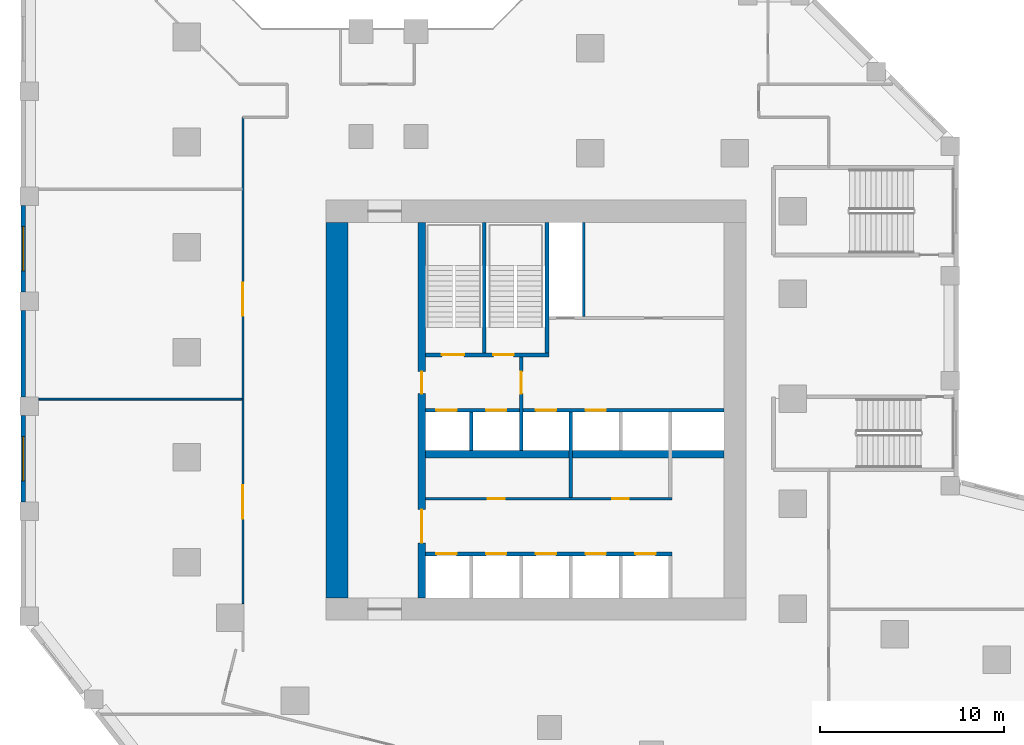
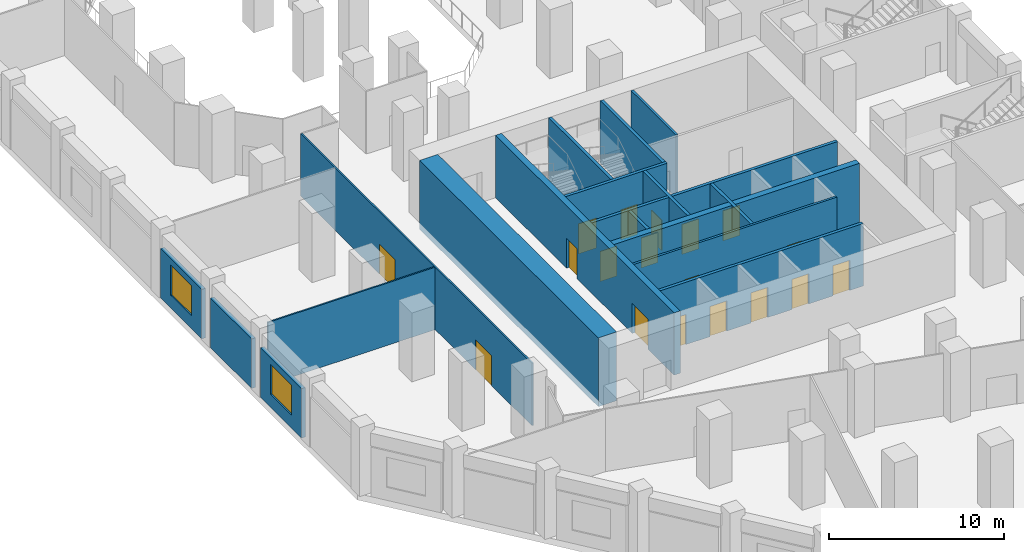
# One storey, part 4 of 16: 18 doors, 18 walls, 2 windows, 20 openings.
"""IFC4 building model written with IfcOpenShell, lengths in metres."""

from ifc_helpers import new_model, si_unit, direction, frame, frame_2d, origin, place, context, subcontext, project, spatial, rectangle, extrude, material, layer, layer_set, type_object, element, fill, save


model = new_model("IFC4")

# Units and contexts
model_context = context("Model", 3, precision=1e-05, world=origin(), true_north=direction((0.0, 1.0)))
body_context = subcontext(model_context, "Body", "Model", "MODEL_VIEW")
ifc_project = project(units=[si_unit("LENGTHUNIT", "METRE"), si_unit("AREAUNIT", "SQUARE_METRE"), si_unit("VOLUMEUNIT", "CUBIC_METRE"), si_unit("PLANEANGLEUNIT", "RADIAN"), si_unit("MASSUNIT", "GRAM", prefix="KILO")], contexts=[model_context])

# Site, building, storey
site_placement = place(None, origin())
site = spatial("IfcSite", under=ifc_project, at=site_placement, CompositionType="ELEMENT")
building_placement = place(site_placement, origin())
building = spatial("IfcBuilding", under=site, at=building_placement, Name="Meshkara Civic Tower", CompositionType="ELEMENT")
storey_placement = place(building_placement, frame((0.0, 0.0, 18.60009765625)))
storey = spatial("IfcBuildingStorey", under=building, at=storey_placement, Name="L03", CompositionType="ELEMENT", Elevation=18.60009765625)

# Wall, openings, doors
ifc_material_1 = material(Name="Blockwork", Category="masonry")
ifc_layer_1 = layer(ifc_material_1, 0.14990234375)
ifc_layer_set_1 = layer_set([ifc_layer_1], Name="Core partition 150")
wall_type_1 = type_object("IfcWallType", Name="Core partition 150", PredefinedType="PARTITIONING", material=ifc_layer_set_1)
wall_1_placement = place(storey_placement, frame((13.39990234375, 20.699951171875, 0.0), z_axis=(0.0, 0.0, 1.0), x_axis=(1.0, 0.0, 0.0)))
wall_1 = element("IfcWall", 1, at=wall_1_placement, inside=storey, type_object=wall_type_1, Name="L03-C006", PredefinedType="PARTITIONING", context=body_context, shape_type="SweptSolid", body=[
    extrude(rectangle(XDim=13.400146484375, YDim=0.14990234375, at=frame_2d((6.7001953125, 0.0))), origin(), (0.0, 0.0, 1.0), 4.349853515625),
])
opening_1_placement = place(wall_1_placement, frame((3.39990234375, 0.0, 0.0)))
opening_1 = element("IfcOpeningElement", 2, at=opening_1_placement, cuts=wall_1, Name="Opening L03-K010", PredefinedType="OPENING", context=body_context, shape_type="SweptSolid", body=[
    extrude(rectangle(XDim=0.89990234375, YDim=2.10009765625, at=frame_2d((0.449951171875, 1.050048828125))), frame((0.0, 0.0849609375, 0.0), z_axis=(0.0, -1.0, 0.0), x_axis=(1.0, 0.0, 0.0)), (0.0, 0.0, 1.0), 0.169921875),
])
opening_2_placement = place(wall_1_placement, frame((10.14990234375, 0.0, 0.0)))
opening_2 = element("IfcOpeningElement", 3, at=opening_2_placement, cuts=wall_1, Name="Opening L03-K011", PredefinedType="OPENING", context=body_context, shape_type="SweptSolid", body=[
    extrude(rectangle(XDim=0.89990234375, YDim=2.10009765625, at=frame_2d((0.449951171875, 1.050048828125))), frame((0.0, 0.0849609375, 0.0), z_axis=(0.0, -1.0, 0.0), x_axis=(1.0, 0.0, 0.0)), (0.0, 0.0, 1.0), 0.169921875),
])
ifc_material_2 = material(Name="Timber door leaf in steel frame", Category="steel")
door_type_1 = type_object("IfcDoorType", Name="Core room door 900", OperationType="SINGLE_SWING_LEFT", PredefinedType="DOOR", material=ifc_material_2)
door_1_placement = place(opening_1_placement, origin())
door_1 = element("IfcDoor", 4, at=door_1_placement, inside=storey, type_object=door_type_1, Name="L03-K010", OperationType="SINGLE_SWING_RIGHT", OverallHeight=2.10009765625, OverallWidth=0.89990234375, PredefinedType="DOOR", context=body_context, shape_type="SweptSolid", body=[
    extrude(rectangle(XDim=0.89990234375, YDim=2.10009765625, at=frame_2d((0.449951171875, 1.050048828125))), frame((0.0, 0.02490234375, 0.0), z_axis=(0.0, -1.0, 0.0), x_axis=(1.0, 0.0, 0.0)), (0.0, 0.0, 1.0), 0.050048828125),
])
fill(opening_1, door_1)
door_2_placement = place(opening_2_placement, origin())
door_2 = element("IfcDoor", 5, at=door_2_placement, inside=storey, type_object=door_type_1, Name="L03-K011", OperationType="SINGLE_SWING_RIGHT", OverallHeight=2.10009765625, OverallWidth=0.89990234375, PredefinedType="DOOR", context=body_context, shape_type="SweptSolid", body=[
    extrude(rectangle(XDim=0.89990234375, YDim=2.10009765625, at=frame_2d((0.449951171875, 1.050048828125))), frame((0.0, 0.02490234375, 0.0), z_axis=(0.0, -1.0, 0.0), x_axis=(1.0, 0.0, 0.0)), (0.0, 0.0, 1.0), 0.050048828125),
])
fill(opening_2, door_2)

# Walls
wall_2_placement = place(storey_placement, frame((22.0, 30.574951171875, 0.0), z_axis=(0.0, 0.0, 1.0), x_axis=(0.0, 1.0, 0.0)))
element("IfcWall", 6, at=wall_2_placement, inside=storey, type_object=wall_type_1, Name="L03-C020", PredefinedType="PARTITIONING", context=body_context, shape_type="SweptSolid", body=[
    extrude(rectangle(XDim=5.125, YDim=0.14990234375, at=frame_2d((2.5625, 0.0))), origin(), (0.0, 0.0, 1.0), 4.349853515625),
])
ifc_material_3 = material(Name="Concrete C80", Category="concrete")
ifc_layer_2 = layer(ifc_material_3, 1.199951171875)
ifc_layer_set_2 = layer_set([ifc_layer_2], Name="Core ring wall 1200 C80")
wall_type_2 = type_object("IfcWallType", Name="Core ring wall 1200 C80", PredefinedType="SHEAR", material=ifc_layer_set_2)
wall_3_placement = place(storey_placement, frame((8.60009765625, 15.300048828125, -0.4501953125), z_axis=(0.0, 0.0, 1.0), x_axis=(0.0, 1.0, 0.0)))
element("IfcWall", 7, at=wall_3_placement, inside=storey, type_object=wall_type_2, Name="L03-C003", PredefinedType="SHEAR", context=body_context, shape_type="SweptSolid", body=[
    extrude(rectangle(XDim=20.39990234375, YDim=1.199951171875, at=frame_2d((10.199951171875, 0.0))), origin(), (0.0, 0.0, 1.0), 4.800048828125),
])
ifc_material_4 = material(Name="Concrete C80", Category="concrete")
ifc_layer_3 = layer(ifc_material_4, 0.39990234375)
ifc_layer_set_3 = layer_set([ifc_layer_3], Name="Core shear wall 400 C80")
wall_type_3 = type_object("IfcWallType", Name="Core shear wall 400 C80", PredefinedType="SHEAR", material=ifc_layer_set_3)
wall_4_placement = place(storey_placement, frame((13.39990234375, 23.10009765625, 0.0), z_axis=(0.0, 0.0, 1.0), x_axis=(1.0, 0.0, 0.0)))
element("IfcWall", 8, at=wall_4_placement, inside=storey, type_object=wall_type_3, Name="L03-C007", PredefinedType="SHEAR", context=body_context, shape_type="SweptSolid", body=[
    extrude(rectangle(XDim=16.2001953125, YDim=0.39990234375, at=frame_2d((8.10009765625, 0.0))), origin(), (0.0, 0.0, 1.0), 4.349853515625),
])

# Wall, openings, doors
wall_5_placement = place(storey_placement, frame((13.199951171875, 15.300048828125, 0.0), z_axis=(0.0, 0.0, 1.0), x_axis=(0.0, 1.0, 0.0)))
wall_5 = element("IfcWall", 9, at=wall_5_placement, inside=storey, type_object=wall_type_3, Name="L03-C011", PredefinedType="SHEAR", context=body_context, shape_type="SweptSolid", body=[
    extrude(rectangle(XDim=20.39990234375, YDim=0.39990234375, at=frame_2d((10.199951171875, 0.0))), origin(), (0.0, 0.0, 1.0), 4.349853515625),
])
opening_3_placement = place(wall_5_placement, frame((3.0, 0.0, 0.0)))
opening_3 = element("IfcOpeningElement", 10, at=opening_3_placement, cuts=wall_5, Name="Opening L03-K016", PredefinedType="OPENING", context=body_context, shape_type="SweptSolid", body=[
    extrude(rectangle(XDim=1.800048828125, YDim=2.10009765625, at=frame_2d((0.89990234375, 1.050048828125))), frame((0.0, 0.2099609375, 0.0), z_axis=(0.0, -1.0, 0.0), x_axis=(1.0, 0.0, 0.0)), (0.0, 0.0, 1.0), 0.419921875),
])
opening_4_placement = place(wall_5_placement, frame((11.10009765625, 0.0, 0.0)))
opening_4 = element("IfcOpeningElement", 11, at=opening_4_placement, cuts=wall_5, Name="Opening L03-K017", PredefinedType="OPENING", context=body_context, shape_type="SweptSolid", body=[
    extrude(rectangle(XDim=1.199951171875, YDim=2.10009765625, at=frame_2d((0.60009765625, 1.050048828125))), frame((0.0, 0.2099609375, 0.0), z_axis=(0.0, -1.0, 0.0), x_axis=(1.0, 0.0, 0.0)), (0.0, 0.0, 1.0), 0.419921875),
])
ifc_material_5 = material(Name="Fire-rated door leaf in steel frame", Category="steel")
door_type_2 = type_object("IfcDoorType", Name="Core double door 1800 EI 60", OperationType="DOUBLE_DOOR_SINGLE_SWING", PredefinedType="DOOR", material=ifc_material_5)
door_3_placement = place(opening_3_placement, origin())
door_3 = element("IfcDoor", 12, at=door_3_placement, inside=storey, type_object=door_type_2, Name="L03-K016", OperationType="DOUBLE_DOOR_SINGLE_SWING", OverallHeight=2.10009765625, OverallWidth=1.800048828125, PredefinedType="DOOR", context=body_context, shape_type="SweptSolid", body=[
    extrude(rectangle(XDim=1.800048828125, YDim=2.10009765625, at=frame_2d((0.89990234375, 1.050048828125))), frame((0.0, 0.02490234375, 0.0), z_axis=(0.0, -1.0, 0.0), x_axis=(1.0, 0.0, 0.0)), (0.0, 0.0, 1.0), 0.050048828125),
])
fill(opening_3, door_3)
ifc_material_6 = material(Name="Fire-rated door leaf in steel frame", Category="steel")
door_type_3 = type_object("IfcDoorType", Name="Fire-fighting lobby door 1200 EI 120", OperationType="SINGLE_SWING_LEFT", PredefinedType="DOOR", material=ifc_material_6)
door_4_placement = place(opening_4_placement, origin())
door_4 = element("IfcDoor", 13, at=door_4_placement, inside=storey, type_object=door_type_3, Name="L03-K017", OperationType="SINGLE_SWING_LEFT", OverallHeight=2.10009765625, OverallWidth=1.199951171875, PredefinedType="DOOR", context=body_context, shape_type="SweptSolid", body=[
    extrude(rectangle(XDim=1.199951171875, YDim=2.10009765625, at=frame_2d((0.60009765625, 1.050048828125))), frame((0.0, 0.02490234375, 0.0), z_axis=(0.0, -1.0, 0.0), x_axis=(1.0, 0.0, 0.0)), (0.0, 0.0, 1.0), 0.050048828125),
])
fill(opening_4, door_4)

ifc_material_7 = material(Name="Corridor wall 100")
ifc_layer_4 = layer(ifc_material_7, 0.10009765625)
ifc_layer_set_4 = layer_set([ifc_layer_4], Name="Corridor wall 100")
wall_type_4 = type_object("IfcWallType", Name="Corridor wall 100", PredefinedType="PARTITIONING", material=ifc_layer_set_4)
wall_6_placement = place(storey_placement, frame((3.5, 41.39990234375, 0.0), z_axis=(0.0, 0.0, 1.0), x_axis=(0.0, -1.0, 0.0)))
wall_6 = element("IfcWall", 14, at=wall_6_placement, inside=storey, type_object=wall_type_4, Name="L03-R012", PredefinedType="PARTITIONING", context=body_context, shape_type="SweptSolid", body=[
    extrude(rectangle(XDim=26.40087890625, YDim=0.10009765625, at=frame_2d((13.200439453125, 0.0))), origin(), (0.0, 0.0, 1.0), 4.349853515625),
])
opening_5_placement = place(wall_6_placement, frame((19.97998046875, 0.0, 0.0)))
opening_5 = element("IfcOpeningElement", 15, at=opening_5_placement, cuts=wall_6, Name="Opening L03-P021", PredefinedType="OPENING", context=body_context, shape_type="SweptSolid", body=[
    extrude(rectangle(XDim=1.800048828125, YDim=2.10009765625, at=frame_2d((0.89990234375, 1.050048828125))), frame((0.0, 0.06005859375, 0.0), z_axis=(0.0, -1.0, 0.0), x_axis=(1.0, 0.0, 0.0)), (0.0, 0.0, 1.0), 0.1201171875),
])
opening_6_placement = place(wall_6_placement, frame((8.97998046875, 0.0, 0.0)))
opening_6 = element("IfcOpeningElement", 16, at=opening_6_placement, cuts=wall_6, Name="Opening L03-P024", PredefinedType="OPENING", context=body_context, shape_type="SweptSolid", body=[
    extrude(rectangle(XDim=1.800048828125, YDim=2.10009765625, at=frame_2d((0.89990234375, 1.050048828125))), frame((0.0, 0.06005859375, 0.0), z_axis=(0.0, -1.0, 0.0), x_axis=(1.0, 0.0, 0.0)), (0.0, 0.0, 1.0), 0.1201171875),
])
ifc_material_8 = material(Name="Door pair 1800 x 2100")
door_type_4 = type_object("IfcDoorType", Name="Door pair 1800 x 2100", OperationType="SINGLE_SWING_LEFT", PredefinedType="DOOR", material=ifc_material_8)
door_5_placement = place(opening_5_placement, origin())
door_5 = element("IfcDoor", 17, at=door_5_placement, inside=storey, type_object=door_type_4, Name="L03-P021", OperationType="DOUBLE_DOOR_SINGLE_SWING", OverallHeight=2.10009765625, OverallWidth=1.800048828125, PredefinedType="DOOR", context=body_context, shape_type="SweptSolid", body=[
    extrude(rectangle(XDim=1.800048828125, YDim=2.10009765625, at=frame_2d((0.89990234375, 1.050048828125))), frame((0.0, 0.02490234375, 0.0), z_axis=(0.0, -1.0, 0.0), x_axis=(1.0, 0.0, 0.0)), (0.0, 0.0, 1.0), 0.050048828125),
])
fill(opening_5, door_5)
door_6_placement = place(opening_6_placement, origin())
door_6 = element("IfcDoor", 18, at=door_6_placement, inside=storey, type_object=door_type_4, Name="L03-P024", OperationType="DOUBLE_DOOR_SINGLE_SWING", OverallHeight=2.10009765625, OverallWidth=1.800048828125, PredefinedType="DOOR", context=body_context, shape_type="SweptSolid", body=[
    extrude(rectangle(XDim=1.800048828125, YDim=2.10009765625, at=frame_2d((0.89990234375, 1.050048828125))), frame((0.0, 0.02490234375, 0.0), z_axis=(0.0, -1.0, 0.0), x_axis=(1.0, 0.0, 0.0)), (0.0, 0.0, 1.0), 0.050048828125),
])
fill(opening_6, door_6)

# Wall, opening, window
ifc_material_9 = material(Name="Stone cladding on insulated backing wall", Category="masonry")
ifc_layer_5 = layer(ifc_material_9, 0.25)
ifc_layer_set_5 = layer_set([ifc_layer_5], Name="PODIUM STONE WALL 250")
wall_type_5 = type_object("IfcWallType", Name="PODIUM STONE WALL 250", PredefinedType="SOLIDWALL", material=ifc_layer_set_5)
wall_7_placement = place(storey_placement, frame((-8.425048828125, 36.611083984375, 0.0), z_axis=(0.0, 0.0, 1.0), x_axis=(0.0, -1.0, 0.0)))
wall_7 = element("IfcWall", 19, at=wall_7_placement, inside=storey, type_object=wall_type_5, Name="Podium external wall", PredefinedType="SOLIDWALL", context=body_context, shape_type="SweptSolid", body=[
    extrude(rectangle(XDim=4.7001953125, YDim=0.25, at=frame_2d((2.35009765625, 0.0))), origin(), (0.0, 0.0, 1.0), 3.449951171875),
])
opening_7_placement = place(wall_7_placement, frame((1.14990234375, 0.0, 0.89990234375)))
opening_7 = element("IfcOpeningElement", 20, at=opening_7_placement, cuts=wall_7, Name="Opening PW10", PredefinedType="OPENING", context=body_context, shape_type="SweptSolid", body=[
    extrude(rectangle(XDim=2.39990234375, YDim=2.10009765625, at=frame_2d((1.199951171875, 1.050048828125))), frame((0.0, 0.135009765625, 0.0), z_axis=(0.0, -1.0, 0.0), x_axis=(1.0, 0.0, 0.0)), (0.0, 0.0, 1.0), 0.27001953125),
])
ifc_material_10 = material(Name="Tinted double glazing", Category="glass")
window_type = type_object("IfcWindowType", Name="PODIUM WINDOW 2400x2100", PartitioningType="DOUBLE_PANEL_VERTICAL", PredefinedType="WINDOW", material=ifc_material_10)
window_1_placement = place(opening_7_placement, origin())
window_1 = element("IfcWindow", 21, at=window_1_placement, inside=storey, type_object=window_type, Name="Podium window", OverallHeight=2.10009765625, OverallWidth=2.39990234375, PartitioningType="DOUBLE_PANEL_VERTICAL", PredefinedType="WINDOW", context=body_context, shape_type="SweptSolid", body=[
    extrude(rectangle(XDim=2.39990234375, YDim=2.10009765625, at=frame_2d((1.199951171875, 1.050048828125))), frame((0.0, 0.030029296875, 0.0), z_axis=(0.0, -1.0, 0.0), x_axis=(1.0, 0.0, 0.0)), (0.0, 0.0, 1.0), 0.06005859375),
])
fill(opening_7, window_1)

# Wall
wall_8_placement = place(storey_placement, frame((-8.425048828125, 30.910888671875, 0.0), z_axis=(0.0, 0.0, 1.0), x_axis=(0.0, -1.0, 0.0)))
element("IfcWall", 22, at=wall_8_placement, inside=storey, type_object=wall_type_5, Name="Podium external wall", PredefinedType="SOLIDWALL", context=body_context, shape_type="SweptSolid", body=[
    extrude(rectangle(XDim=4.699951171875, YDim=0.25, at=frame_2d((2.35009765625, 0.0))), origin(), (0.0, 0.0, 1.0), 3.449951171875),
])

# Wall, opening, window
wall_9_placement = place(storey_placement, frame((-8.425048828125, 25.2109375, 0.0), z_axis=(0.0, 0.0, 1.0), x_axis=(0.0, -1.0, 0.0)))
wall_9 = element("IfcWall", 23, at=wall_9_placement, inside=storey, type_object=wall_type_5, Name="Podium external wall", PredefinedType="SOLIDWALL", context=body_context, shape_type="SweptSolid", body=[
    extrude(rectangle(XDim=4.699951171875, YDim=0.25, at=frame_2d((2.35009765625, 0.0))), origin(), (0.0, 0.0, 1.0), 3.449951171875),
])
opening_8_placement = place(wall_9_placement, frame((1.14990234375, 0.0, 0.89990234375)))
opening_8 = element("IfcOpeningElement", 24, at=opening_8_placement, cuts=wall_9, Name="Opening PW10", PredefinedType="OPENING", context=body_context, shape_type="SweptSolid", body=[
    extrude(rectangle(XDim=2.39990234375, YDim=2.10009765625, at=frame_2d((1.199951171875, 1.050048828125))), frame((0.0, 0.135009765625, 0.0), z_axis=(0.0, -1.0, 0.0), x_axis=(1.0, 0.0, 0.0)), (0.0, 0.0, 1.0), 0.27001953125),
])
window_2_placement = place(opening_8_placement, origin())
window_2 = element("IfcWindow", 25, at=window_2_placement, inside=storey, type_object=window_type, Name="Podium window", OverallHeight=2.10009765625, OverallWidth=2.39990234375, PartitioningType="DOUBLE_PANEL_VERTICAL", PredefinedType="WINDOW", context=body_context, shape_type="SweptSolid", body=[
    extrude(rectangle(XDim=2.39990234375, YDim=2.10009765625, at=frame_2d((1.199951171875, 1.050048828125))), frame((0.0, 0.030029296875, 0.0), z_axis=(0.0, -1.0, 0.0), x_axis=(1.0, 0.0, 0.0)), (0.0, 0.0, 1.0), 0.06005859375),
])
fill(opening_8, window_2)

# Wall
ifc_material_11 = material(Name="Partition 100")
ifc_layer_6 = layer(ifc_material_11, 0.10009765625)
ifc_layer_set_6 = layer_set([ifc_layer_6], Name="Partition 100")
wall_type_6 = type_object("IfcWallType", Name="Partition 100", PredefinedType="PARTITIONING", material=ifc_layer_set_6)
wall_10_placement = place(storey_placement, frame((3.449951171875, 26.10009765625, 0.0), z_axis=(0.0, 0.0, 1.0), x_axis=(-1.0, 0.0, 0.0)))
element("IfcWall", 26, at=wall_10_placement, inside=storey, type_object=wall_type_6, Name="L03-R084", PredefinedType="PARTITIONING", context=body_context, shape_type="SweptSolid", body=[
    extrude(rectangle(XDim=11.030029296875, YDim=0.10009765625, at=frame_2d((5.51513671875, 0.0))), origin(), (0.0, 0.0, 1.0), 4.349853515625),
])

# Wall, openings, doors
ifc_material_12 = material(Name="Concrete C40/50", Category="concrete")
ifc_layer_7 = layer(ifc_material_12, 0.199951171875)
ifc_layer_set_7 = layer_set([ifc_layer_7], Name="Shaft wall 200 C40/50")
wall_type_7 = type_object("IfcWallType", Name="Shaft wall 200 C40/50", PredefinedType="SOLIDWALL", material=ifc_layer_set_7)
wall_11_placement = place(storey_placement, frame((13.39990234375, 17.699951171875, 0.0), z_axis=(0.0, 0.0, 1.0), x_axis=(1.0, 0.0, 0.0)))
wall_11 = element("IfcWall", 27, at=wall_11_placement, inside=storey, type_object=wall_type_7, Name="L03-C005", PredefinedType="SOLIDWALL", context=body_context, shape_type="SweptSolid", body=[
    extrude(rectangle(XDim=13.400146484375, YDim=0.199951171875, at=frame_2d((6.7001953125, 0.0))), origin(), (0.0, 0.0, 1.0), 4.349853515625),
])
opening_9_placement = place(wall_11_placement, frame((0.60009765625, 0.0, 0.0)))
opening_9 = element("IfcOpeningElement", 28, at=opening_9_placement, cuts=wall_11, Name="Opening L03-K001", PredefinedType="OPENING", context=body_context, shape_type="SweptSolid", body=[
    extrude(rectangle(XDim=1.10009765625, YDim=2.10009765625, at=frame_2d((0.550048828125, 1.050048828125))), frame((0.0, 0.10986328125, 0.0), z_axis=(0.0, -1.0, 0.0), x_axis=(1.0, 0.0, 0.0)), (0.0, 0.0, 1.0), 0.219970703125),
])
opening_10_placement = place(wall_11_placement, frame((3.300048828125, 0.0, 0.0)))
opening_10 = element("IfcOpeningElement", 29, at=opening_10_placement, cuts=wall_11, Name="Opening L03-K002", PredefinedType="OPENING", context=body_context, shape_type="SweptSolid", body=[
    extrude(rectangle(XDim=1.10009765625, YDim=2.10009765625, at=frame_2d((0.550048828125, 1.050048828125))), frame((0.0, 0.10986328125, 0.0), z_axis=(0.0, -1.0, 0.0), x_axis=(1.0, 0.0, 0.0)), (0.0, 0.0, 1.0), 0.219970703125),
])
opening_11_placement = place(wall_11_placement, frame((6.0, 0.0, 0.0)))
opening_11 = element("IfcOpeningElement", 30, at=opening_11_placement, cuts=wall_11, Name="Opening L03-K003", PredefinedType="OPENING", context=body_context, shape_type="SweptSolid", body=[
    extrude(rectangle(XDim=1.10009765625, YDim=2.10009765625, at=frame_2d((0.550048828125, 1.050048828125))), frame((0.0, 0.10986328125, 0.0), z_axis=(0.0, -1.0, 0.0), x_axis=(1.0, 0.0, 0.0)), (0.0, 0.0, 1.0), 0.219970703125),
])
opening_12_placement = place(wall_11_placement, frame((8.699951171875, 0.0, 0.0)))
opening_12 = element("IfcOpeningElement", 31, at=opening_12_placement, cuts=wall_11, Name="Opening L03-K004", PredefinedType="OPENING", context=body_context, shape_type="SweptSolid", body=[
    extrude(rectangle(XDim=1.10009765625, YDim=2.10009765625, at=frame_2d((0.550048828125, 1.050048828125))), frame((0.0, 0.10986328125, 0.0), z_axis=(0.0, -1.0, 0.0), x_axis=(1.0, 0.0, 0.0)), (0.0, 0.0, 1.0), 0.219970703125),
])
opening_13_placement = place(wall_11_placement, frame((11.39990234375, 0.0, 0.0)))
opening_13 = element("IfcOpeningElement", 32, at=opening_13_placement, cuts=wall_11, Name="Opening L03-K005", PredefinedType="OPENING", context=body_context, shape_type="SweptSolid", body=[
    extrude(rectangle(XDim=1.10009765625, YDim=2.10009765625, at=frame_2d((0.550048828125, 1.050048828125))), frame((0.0, 0.10986328125, 0.0), z_axis=(0.0, -1.0, 0.0), x_axis=(1.0, 0.0, 0.0)), (0.0, 0.0, 1.0), 0.219970703125),
])
ifc_material_13 = material(Name="Stainless steel landing door", Category="steel")
door_type_5 = type_object("IfcDoorType", Name="Lift landing door 1100", OperationType="SLIDING_TO_LEFT", PredefinedType="DOOR", material=ifc_material_13)
door_7_placement = place(opening_9_placement, origin())
door_7 = element("IfcDoor", 33, at=door_7_placement, inside=storey, type_object=door_type_5, Name="L03-K001", OperationType="SLIDING_TO_LEFT", OverallHeight=2.10009765625, OverallWidth=1.10009765625, PredefinedType="DOOR", context=body_context, shape_type="SweptSolid", body=[
    extrude(rectangle(XDim=1.10009765625, YDim=2.10009765625, at=frame_2d((0.550048828125, 1.050048828125))), frame((0.0, 0.02490234375, 0.0), z_axis=(0.0, -1.0, 0.0), x_axis=(1.0, 0.0, 0.0)), (0.0, 0.0, 1.0), 0.050048828125),
])
fill(opening_9, door_7)
door_8_placement = place(opening_10_placement, origin())
door_8 = element("IfcDoor", 34, at=door_8_placement, inside=storey, type_object=door_type_5, Name="L03-K002", OperationType="SLIDING_TO_LEFT", OverallHeight=2.10009765625, OverallWidth=1.10009765625, PredefinedType="DOOR", context=body_context, shape_type="SweptSolid", body=[
    extrude(rectangle(XDim=1.10009765625, YDim=2.10009765625, at=frame_2d((0.550048828125, 1.050048828125))), frame((0.0, 0.02490234375, 0.0), z_axis=(0.0, -1.0, 0.0), x_axis=(1.0, 0.0, 0.0)), (0.0, 0.0, 1.0), 0.050048828125),
])
fill(opening_10, door_8)
door_9_placement = place(opening_11_placement, origin())
door_9 = element("IfcDoor", 35, at=door_9_placement, inside=storey, type_object=door_type_5, Name="L03-K003", OperationType="SLIDING_TO_LEFT", OverallHeight=2.10009765625, OverallWidth=1.10009765625, PredefinedType="DOOR", context=body_context, shape_type="SweptSolid", body=[
    extrude(rectangle(XDim=1.10009765625, YDim=2.10009765625, at=frame_2d((0.550048828125, 1.050048828125))), frame((0.0, 0.02490234375, 0.0), z_axis=(0.0, -1.0, 0.0), x_axis=(1.0, 0.0, 0.0)), (0.0, 0.0, 1.0), 0.050048828125),
])
fill(opening_11, door_9)
door_10_placement = place(opening_12_placement, origin())
door_10 = element("IfcDoor", 36, at=door_10_placement, inside=storey, type_object=door_type_5, Name="L03-K004", OperationType="SLIDING_TO_LEFT", OverallHeight=2.10009765625, OverallWidth=1.10009765625, PredefinedType="DOOR", context=body_context, shape_type="SweptSolid", body=[
    extrude(rectangle(XDim=1.10009765625, YDim=2.10009765625, at=frame_2d((0.550048828125, 1.050048828125))), frame((0.0, 0.02490234375, 0.0), z_axis=(0.0, -1.0, 0.0), x_axis=(1.0, 0.0, 0.0)), (0.0, 0.0, 1.0), 0.050048828125),
])
fill(opening_12, door_10)
door_11_placement = place(opening_13_placement, origin())
door_11 = element("IfcDoor", 37, at=door_11_placement, inside=storey, type_object=door_type_5, Name="L03-K005", OperationType="SLIDING_TO_LEFT", OverallHeight=2.10009765625, OverallWidth=1.10009765625, PredefinedType="DOOR", context=body_context, shape_type="SweptSolid", body=[
    extrude(rectangle(XDim=1.10009765625, YDim=2.10009765625, at=frame_2d((0.550048828125, 1.050048828125))), frame((0.0, 0.02490234375, 0.0), z_axis=(0.0, -1.0, 0.0), x_axis=(1.0, 0.0, 0.0)), (0.0, 0.0, 1.0), 0.050048828125),
])
fill(opening_13, door_11)

wall_12_placement = place(storey_placement, frame((13.39990234375, 25.5, 0.0), z_axis=(0.0, 0.0, 1.0), x_axis=(1.0, 0.0, 0.0)))
wall_12 = element("IfcWall", 38, at=wall_12_placement, inside=storey, type_object=wall_type_7, Name="L03-C008", PredefinedType="SOLIDWALL", context=body_context, shape_type="SweptSolid", body=[
    extrude(rectangle(XDim=16.2001953125, YDim=0.199951171875, at=frame_2d((8.10009765625, 0.0))), origin(), (0.0, 0.0, 1.0), 4.349853515625),
])
opening_14_placement = place(wall_12_placement, frame((0.60009765625, 0.0, 0.0)))
opening_14 = element("IfcOpeningElement", 39, at=opening_14_placement, cuts=wall_12, Name="Opening L03-K006", PredefinedType="OPENING", context=body_context, shape_type="SweptSolid", body=[
    extrude(rectangle(XDim=1.10009765625, YDim=2.10009765625, at=frame_2d((0.550048828125, 1.050048828125))), frame((0.0, 0.10986328125, 0.0), z_axis=(0.0, -1.0, 0.0), x_axis=(1.0, 0.0, 0.0)), (0.0, 0.0, 1.0), 0.219970703125),
])
opening_15_placement = place(wall_12_placement, frame((3.300048828125, 0.0, 0.0)))
opening_15 = element("IfcOpeningElement", 40, at=opening_15_placement, cuts=wall_12, Name="Opening L03-K007", PredefinedType="OPENING", context=body_context, shape_type="SweptSolid", body=[
    extrude(rectangle(XDim=1.10009765625, YDim=2.10009765625, at=frame_2d((0.550048828125, 1.050048828125))), frame((0.0, 0.10986328125, 0.0), z_axis=(0.0, -1.0, 0.0), x_axis=(1.0, 0.0, 0.0)), (0.0, 0.0, 1.0), 0.219970703125),
])
opening_16_placement = place(wall_12_placement, frame((6.0, 0.0, 0.0)))
opening_16 = element("IfcOpeningElement", 41, at=opening_16_placement, cuts=wall_12, Name="Opening L03-K008", PredefinedType="OPENING", context=body_context, shape_type="SweptSolid", body=[
    extrude(rectangle(XDim=1.10009765625, YDim=2.10009765625, at=frame_2d((0.550048828125, 1.050048828125))), frame((0.0, 0.10986328125, 0.0), z_axis=(0.0, -1.0, 0.0), x_axis=(1.0, 0.0, 0.0)), (0.0, 0.0, 1.0), 0.219970703125),
])
opening_17_placement = place(wall_12_placement, frame((8.699951171875, 0.0, 0.0)))
opening_17 = element("IfcOpeningElement", 42, at=opening_17_placement, cuts=wall_12, Name="Opening L03-K009", PredefinedType="OPENING", context=body_context, shape_type="SweptSolid", body=[
    extrude(rectangle(XDim=1.10009765625, YDim=2.10009765625, at=frame_2d((0.550048828125, 1.050048828125))), frame((0.0, 0.10986328125, 0.0), z_axis=(0.0, -1.0, 0.0), x_axis=(1.0, 0.0, 0.0)), (0.0, 0.0, 1.0), 0.219970703125),
])
door_12_placement = place(opening_14_placement, origin())
door_12 = element("IfcDoor", 43, at=door_12_placement, inside=storey, type_object=door_type_5, Name="L03-K006", OperationType="SLIDING_TO_LEFT", OverallHeight=2.10009765625, OverallWidth=1.10009765625, PredefinedType="DOOR", context=body_context, shape_type="SweptSolid", body=[
    extrude(rectangle(XDim=1.10009765625, YDim=2.10009765625, at=frame_2d((0.550048828125, 1.050048828125))), frame((0.0, 0.02490234375, 0.0), z_axis=(0.0, -1.0, 0.0), x_axis=(1.0, 0.0, 0.0)), (0.0, 0.0, 1.0), 0.050048828125),
])
fill(opening_14, door_12)
door_13_placement = place(opening_15_placement, origin())
door_13 = element("IfcDoor", 44, at=door_13_placement, inside=storey, type_object=door_type_5, Name="L03-K007", OperationType="SLIDING_TO_LEFT", OverallHeight=2.10009765625, OverallWidth=1.10009765625, PredefinedType="DOOR", context=body_context, shape_type="SweptSolid", body=[
    extrude(rectangle(XDim=1.10009765625, YDim=2.10009765625, at=frame_2d((0.550048828125, 1.050048828125))), frame((0.0, 0.02490234375, 0.0), z_axis=(0.0, -1.0, 0.0), x_axis=(1.0, 0.0, 0.0)), (0.0, 0.0, 1.0), 0.050048828125),
])
fill(opening_15, door_13)
door_14_placement = place(opening_16_placement, origin())
door_14 = element("IfcDoor", 45, at=door_14_placement, inside=storey, type_object=door_type_5, Name="L03-K008", OperationType="SLIDING_TO_LEFT", OverallHeight=2.10009765625, OverallWidth=1.10009765625, PredefinedType="DOOR", context=body_context, shape_type="SweptSolid", body=[
    extrude(rectangle(XDim=1.10009765625, YDim=2.10009765625, at=frame_2d((0.550048828125, 1.050048828125))), frame((0.0, 0.02490234375, 0.0), z_axis=(0.0, -1.0, 0.0), x_axis=(1.0, 0.0, 0.0)), (0.0, 0.0, 1.0), 0.050048828125),
])
fill(opening_16, door_14)
door_15_placement = place(opening_17_placement, origin())
door_15 = element("IfcDoor", 46, at=door_15_placement, inside=storey, type_object=door_type_5, Name="L03-K009", OperationType="SLIDING_TO_LEFT", OverallHeight=2.10009765625, OverallWidth=1.10009765625, PredefinedType="DOOR", context=body_context, shape_type="SweptSolid", body=[
    extrude(rectangle(XDim=1.10009765625, YDim=2.10009765625, at=frame_2d((0.550048828125, 1.050048828125))), frame((0.0, 0.02490234375, 0.0), z_axis=(0.0, -1.0, 0.0), x_axis=(1.0, 0.0, 0.0)), (0.0, 0.0, 1.0), 0.050048828125),
])
fill(opening_17, door_15)

# Wall
wall_13_placement = place(storey_placement, frame((15.89990234375, 23.300048828125, 0.0), z_axis=(0.0, 0.0, 1.0), x_axis=(0.0, 1.0, 0.0)))
element("IfcWall", 47, at=wall_13_placement, inside=storey, type_object=wall_type_7, Name="L03-C013", PredefinedType="SOLIDWALL", context=body_context, shape_type="SweptSolid", body=[
    extrude(rectangle(XDim=2.099853515625, YDim=0.199951171875, at=frame_2d((1.0498046875, 0.0))), origin(), (0.0, 0.0, 1.0), 4.349853515625),
])

# Wall, opening, door
wall_14_placement = place(storey_placement, frame((18.60009765625, 23.300048828125, 0.0), z_axis=(0.0, 0.0, 1.0), x_axis=(0.0, 1.0, 0.0)))
wall_14 = element("IfcWall", 48, at=wall_14_placement, inside=storey, type_object=wall_type_7, Name="L03-C016", PredefinedType="SOLIDWALL", context=body_context, shape_type="SweptSolid", body=[
    extrude(rectangle(XDim=5.099853515625, YDim=0.199951171875, at=frame_2d((2.5498046875, 0.0))), origin(), (0.0, 0.0, 1.0), 4.349853515625),
])
opening_18_placement = place(wall_14_placement, frame((3.10009765625, 0.0, 0.0)))
opening_18 = element("IfcOpeningElement", 49, at=opening_18_placement, cuts=wall_14, Name="Opening L03-K018", PredefinedType="OPENING", context=body_context, shape_type="SweptSolid", body=[
    extrude(rectangle(XDim=1.199951171875, YDim=2.10009765625, at=frame_2d((0.60009765625, 1.050048828125))), frame((0.0, 0.10986328125, 0.0), z_axis=(0.0, -1.0, 0.0), x_axis=(1.0, 0.0, 0.0)), (0.0, 0.0, 1.0), 0.219970703125),
])
door_16_placement = place(opening_18_placement, origin())
door_16 = element("IfcDoor", 50, at=door_16_placement, inside=storey, type_object=door_type_3, Name="L03-K018", OperationType="SINGLE_SWING_RIGHT", OverallHeight=2.10009765625, OverallWidth=1.199951171875, PredefinedType="DOOR", context=body_context, shape_type="SweptSolid", body=[
    extrude(rectangle(XDim=1.199951171875, YDim=2.10009765625, at=frame_2d((0.60009765625, 1.050048828125))), frame((0.0, 0.02490234375, 0.0), z_axis=(0.0, -1.0, 0.0), x_axis=(1.0, 0.0, 0.0)), (0.0, 0.0, 1.0), 0.050048828125),
])
fill(opening_18, door_16)

# Wall
wall_15_placement = place(storey_placement, frame((21.300048828125, 20.77490234375, 0.0), z_axis=(0.0, 0.0, 1.0), x_axis=(0.0, 1.0, 0.0)))
element("IfcWall", 51, at=wall_15_placement, inside=storey, type_object=wall_type_7, Name="L03-C019", PredefinedType="SOLIDWALL", context=body_context, shape_type="SweptSolid", body=[
    extrude(rectangle(XDim=4.625, YDim=0.199951171875, at=frame_2d((2.3125, 0.0))), origin(), (0.0, 0.0, 1.0), 4.349853515625),
])

# Wall, openings, doors
ifc_material_14 = material(Name="Concrete C40/50", Category="concrete")
ifc_layer_8 = layer(ifc_material_14, 0.199951171875)
ifc_layer_set_8 = layer_set([ifc_layer_8], Name="Stair enclosure wall 200 C40/50")
wall_type_8 = type_object("IfcWallType", Name="Stair enclosure wall 200 C40/50", PredefinedType="SOLIDWALL", material=ifc_layer_set_8)
wall_16_placement = place(storey_placement, frame((13.39990234375, 28.5, 0.0), z_axis=(0.0, 0.0, 1.0), x_axis=(1.0, 0.0, 0.0)))
wall_16 = element("IfcWall", 52, at=wall_16_placement, inside=storey, type_object=wall_type_8, Name="L03-C009", PredefinedType="SOLIDWALL", context=body_context, shape_type="SweptSolid", body=[
    extrude(rectangle(XDim=6.7001953125, YDim=0.199951171875, at=frame_2d((3.35009765625, 0.0))), origin(), (0.0, 0.0, 1.0), 4.349853515625),
])
opening_19_placement = place(wall_16_placement, frame((0.89990234375, 0.0, 0.0)))
opening_19 = element("IfcOpeningElement", 53, at=opening_19_placement, cuts=wall_16, Name="Opening L03-K014", PredefinedType="OPENING", context=body_context, shape_type="SweptSolid", body=[
    extrude(rectangle(XDim=1.199951171875, YDim=2.10009765625, at=frame_2d((0.60009765625, 1.050048828125))), frame((0.0, 0.10986328125, 0.0), z_axis=(0.0, -1.0, 0.0), x_axis=(1.0, 0.0, 0.0)), (0.0, 0.0, 1.0), 0.219970703125),
])
opening_20_placement = place(wall_16_placement, frame((3.699951171875, 0.0, 0.0)))
opening_20 = element("IfcOpeningElement", 54, at=opening_20_placement, cuts=wall_16, Name="Opening L03-K015", PredefinedType="OPENING", context=body_context, shape_type="SweptSolid", body=[
    extrude(rectangle(XDim=1.10009765625, YDim=2.10009765625, at=frame_2d((0.550048828125, 1.050048828125))), frame((0.0, 0.10986328125, 0.0), z_axis=(0.0, -1.0, 0.0), x_axis=(1.0, 0.0, 0.0)), (0.0, 0.0, 1.0), 0.219970703125),
])
ifc_material_15 = material(Name="Fire-rated door leaf in steel frame", Category="steel")
door_type_6 = type_object("IfcDoorType", Name="Stair door 1100 EI 120", OperationType="SINGLE_SWING_LEFT", PredefinedType="DOOR", material=ifc_material_15)
door_17_placement = place(opening_20_placement, origin())
door_17 = element("IfcDoor", 55, at=door_17_placement, inside=storey, type_object=door_type_6, Name="L03-K015", OperationType="SINGLE_SWING_LEFT", OverallHeight=2.10009765625, OverallWidth=1.10009765625, PredefinedType="DOOR", context=body_context, shape_type="SweptSolid", body=[
    extrude(rectangle(XDim=1.10009765625, YDim=2.10009765625, at=frame_2d((0.550048828125, 1.050048828125))), frame((0.0, 0.02490234375, 0.0), z_axis=(0.0, -1.0, 0.0), x_axis=(1.0, 0.0, 0.0)), (0.0, 0.0, 1.0), 0.050048828125),
])
fill(opening_20, door_17)
ifc_material_16 = material(Name="Fire-rated door leaf in steel frame", Category="steel")
door_type_7 = type_object("IfcDoorType", Name="Stair door 1200 EI 120", OperationType="SINGLE_SWING_LEFT", PredefinedType="DOOR", material=ifc_material_16)
door_18_placement = place(opening_19_placement, origin())
door_18 = element("IfcDoor", 56, at=door_18_placement, inside=storey, type_object=door_type_7, Name="L03-K014", OperationType="SINGLE_SWING_RIGHT", OverallHeight=2.10009765625, OverallWidth=1.199951171875, PredefinedType="DOOR", context=body_context, shape_type="SweptSolid", body=[
    extrude(rectangle(XDim=1.199951171875, YDim=2.10009765625, at=frame_2d((0.60009765625, 1.050048828125))), frame((0.0, 0.02490234375, 0.0), z_axis=(0.0, -1.0, 0.0), x_axis=(1.0, 0.0, 0.0)), (0.0, 0.0, 1.0), 0.050048828125),
])
fill(opening_19, door_18)

# Walls
for number, where, z_axis, x_axis, name in (
    (57, (16.60009765625, 28.60009765625, 0.0), (0.0, 0.0, 1.0), (0.0, 1.0, 0.0), "L03-C014"),
    (58, (20.0, 28.60009765625, 0.0), (0.0, 0.0, 1.0), (0.0, 1.0, 0.0), "L03-C017"),
):
    element("IfcWall", number, at=place(storey_placement, frame(where, z_axis=z_axis, x_axis=x_axis)), inside=storey, type_object=wall_type_8, Name=name, PredefinedType="SOLIDWALL", context=body_context, shape_type="SweptSolid", body=[
        extrude(rectangle(XDim=7.099853515625, YDim=0.199951171875, at=frame_2d((3.5498046875, 0.0))), origin(), (0.0, 0.0, 1.0), 4.349853515625),
    ])

save(model, "model.ifc")
